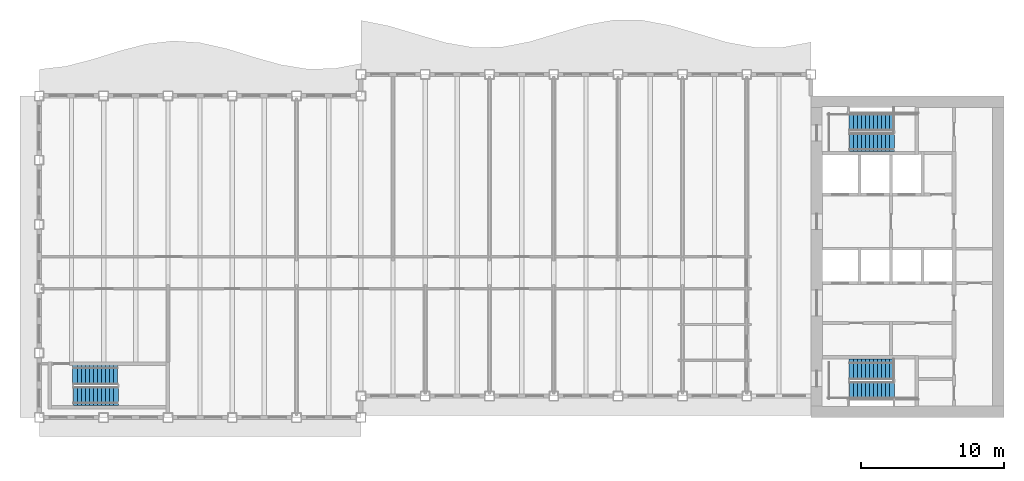
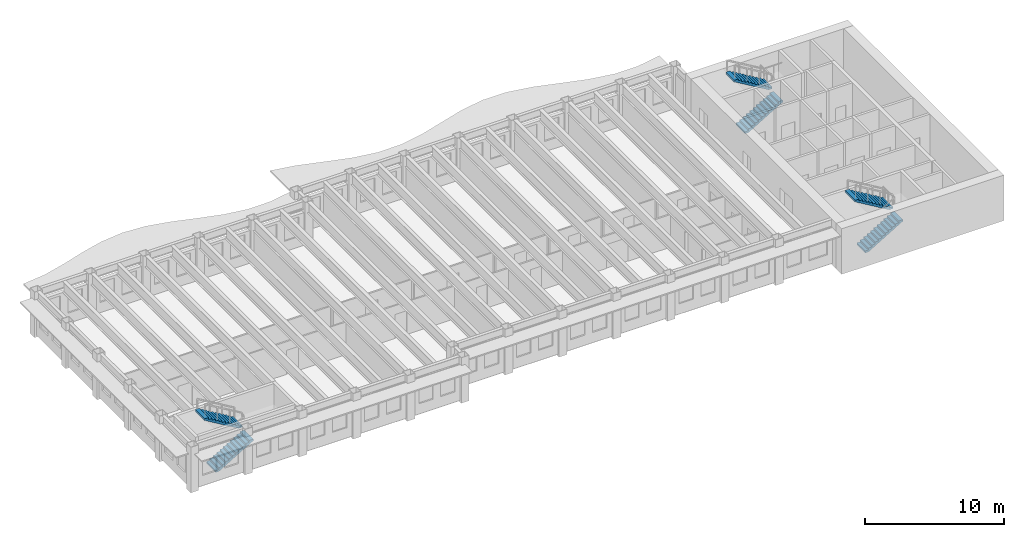
# One storey, part 7 of 12: 6 stair flights, 3 elements without a shape of their own.
"""IFC4 building model written with IfcOpenShell, lengths in metres."""

from ifc_helpers import new_model, si_unit, direction, frame, origin, place, context, subcontext, project, spatial, polyline, outline, extrude, material, type_object, element, aggregate, save


model = new_model("IFC4")

# Units and contexts
model_context = context("Model", 3, precision=1e-05, world=origin(), true_north=direction((0.0, 1.0)))
body_context = subcontext(model_context, "Body", "Model", "MODEL_VIEW")
ifc_project = project(units=[si_unit("LENGTHUNIT", "METRE"), si_unit("AREAUNIT", "SQUARE_METRE"), si_unit("VOLUMEUNIT", "CUBIC_METRE"), si_unit("PLANEANGLEUNIT", "RADIAN"), si_unit("MASSUNIT", "GRAM", prefix="KILO")], contexts=[model_context])

# Site, building, storey
site_placement = place(None, origin())
site = spatial("IfcSite", under=ifc_project, at=site_placement, CompositionType="ELEMENT")
building_placement = place(site_placement, origin())
building = spatial("IfcBuilding", under=site, at=building_placement, Name="Sennacour Bend Tower", CompositionType="ELEMENT")
storey_placement = place(building_placement, frame((0.0, 0.0, 253.0)))
storey = spatial("IfcBuildingStorey", under=building, at=storey_placement, Name="L58", CompositionType="ELEMENT", Elevation=253.0)

# Stair, stair flights
ifc_material = material(Name="Concrete C40/50", Category="concrete")
stair_type = type_object("IfcStairType", Name="ST-DOGLEG", PredefinedType="HALF_TURN_STAIR", material=ifc_material)
stair_1_placement = place(storey_placement, origin())
stair_1 = element("IfcStair", 1, at=stair_1_placement, inside=storey, type_object=stair_type, Name="L58 Exit stair A1", PredefinedType="HALF_TURN_STAIR")
stair_flight_type = type_object("IfcStairFlightType", Name="SFL-RC", PredefinedType="STRAIGHT", material=ifc_material)
stair_flight_1_placement = place(storey_placement, frame((56.699951171875, 1.89990234375, 0.0), z_axis=(0.0, 0.0, 1.0), x_axis=(1.0, 0.0, 0.0)))
stair_flight_1 = element("IfcStairFlight", 2, at=stair_flight_1_placement, type_object=stair_flight_type, Name="SA1 flight 1", NumberOfRisers=12, NumberOfTreads=11, PredefinedType="STRAIGHT", RiserHeight=0.166666667, TreadLength=0.28, context=body_context, shape_type="SweptSolid", body=[
    extrude(outline(polyline([(0.0, 0.0), (0.0, 0.166748046875), (0.280029296875, 0.166748046875), (0.280029296875, 0.333251953125), (0.56005859375, 0.333251953125), (0.56005859375, 0.5), (0.840087890625, 0.5), (0.840087890625, 0.666748046875), (1.1201171875, 0.666748046875), (1.1201171875, 0.833251953125), (1.39990234375, 0.833251953125), (1.39990234375, 1.0), (1.679931640625, 1.0), (1.679931640625, 1.166748046875), (1.9599609375, 1.166748046875), (1.9599609375, 1.333251953125), (2.239990234375, 1.333251953125), (2.239990234375, 1.5), (2.52001953125, 1.5), (2.52001953125, 1.666748046875), (2.800048828125, 1.666748046875), (2.800048828125, 1.833251953125), (3.080078125, 1.833251953125), (3.139892578125, 1.833251953125), (3.139892578125, 1.658935546875), (3.080078125, 1.658935546875), (0.29296875, 0.0), (0.0, 0.0)])), frame((0.0, 0.60009765625, 0.0), z_axis=(0.0, -1.0, 0.0), x_axis=(1.0, 0.0, 0.0)), (0.0, 0.0, 1.0), 1.199951171875),
])
stair_flight_2_placement = place(storey_placement, frame((59.780029296875, 3.37744140625, 2.0), z_axis=(0.0, 0.0, 1.0), x_axis=(-1.0, 0.0, 0.0)))
stair_flight_2 = element("IfcStairFlight", 3, at=stair_flight_2_placement, type_object=stair_flight_type, Name="SA1 flight 2", NumberOfRisers=12, NumberOfTreads=11, PredefinedType="STRAIGHT", RiserHeight=0.166666667, TreadLength=0.28, context=body_context, shape_type="SweptSolid", body=[
    extrude(outline(polyline([(0.0, 0.0), (0.0, 0.166748046875), (0.280029296875, 0.166748046875), (0.280029296875, 0.333251953125), (0.56005859375, 0.333251953125), (0.56005859375, 0.5), (0.840087890625, 0.5), (0.840087890625, 0.666748046875), (1.1201171875, 0.666748046875), (1.1201171875, 0.833251953125), (1.39990234375, 0.833251953125), (1.39990234375, 1.0), (1.679931640625, 1.0), (1.679931640625, 1.166748046875), (1.9599609375, 1.166748046875), (1.9599609375, 1.333251953125), (2.239990234375, 1.333251953125), (2.239990234375, 1.5), (2.52001953125, 1.5), (2.52001953125, 1.666748046875), (2.800048828125, 1.666748046875), (2.800048828125, 1.833251953125), (3.080078125, 1.833251953125), (3.139892578125, 1.833251953125), (3.139892578125, 1.658935546875), (3.080078125, 1.658935546875), (0.29296875, 0.0), (0.0, 0.0)])), frame((0.0, 0.7275390625, 0.0), z_axis=(0.0, -1.0, 0.0), x_axis=(1.0, 0.0, 0.0)), (0.0, 0.0, 1.0), 1.455078125),
])
aggregate(stair_1, [stair_flight_1, stair_flight_2])

stair_2_placement = place(storey_placement, origin())
stair_2 = element("IfcStair", 4, at=stair_2_placement, inside=storey, type_object=stair_type, Name="L58 Exit stair A2", PredefinedType="HALF_TURN_STAIR")
stair_flight_3_placement = place(storey_placement, frame((56.699951171875, 19.24755859375, 0.0), z_axis=(0.0, 0.0, 1.0), x_axis=(1.0, 0.0, 0.0)))
stair_flight_3 = element("IfcStairFlight", 5, at=stair_flight_3_placement, type_object=stair_flight_type, Name="SA2 flight 1", NumberOfRisers=12, NumberOfTreads=11, PredefinedType="STRAIGHT", RiserHeight=0.166666667, TreadLength=0.28, context=body_context, shape_type="SweptSolid", body=[
    extrude(outline(polyline([(0.0, 0.0), (0.0, 0.166748046875), (0.280029296875, 0.166748046875), (0.280029296875, 0.333251953125), (0.56005859375, 0.333251953125), (0.56005859375, 0.5), (0.840087890625, 0.5), (0.840087890625, 0.666748046875), (1.1201171875, 0.666748046875), (1.1201171875, 0.833251953125), (1.39990234375, 0.833251953125), (1.39990234375, 1.0), (1.679931640625, 1.0), (1.679931640625, 1.166748046875), (1.9599609375, 1.166748046875), (1.9599609375, 1.333251953125), (2.239990234375, 1.333251953125), (2.239990234375, 1.5), (2.52001953125, 1.5), (2.52001953125, 1.666748046875), (2.800048828125, 1.666748046875), (2.800048828125, 1.833251953125), (3.080078125, 1.833251953125), (3.139892578125, 1.833251953125), (3.139892578125, 1.658935546875), (3.080078125, 1.658935546875), (0.29296875, 0.0), (0.0, 0.0)])), frame((0.0, 0.65234375, 0.0), z_axis=(0.0, -1.0, 0.0), x_axis=(1.0, 0.0, 0.0)), (0.0, 0.0, 1.0), 1.304931640625),
])
stair_flight_4_placement = place(storey_placement, frame((59.780029296875, 20.64990234375, 2.0), z_axis=(0.0, 0.0, 1.0), x_axis=(-1.0, 0.0, 0.0)))
stair_flight_4 = element("IfcStairFlight", 6, at=stair_flight_4_placement, type_object=stair_flight_type, Name="SA2 flight 2", NumberOfRisers=12, NumberOfTreads=11, PredefinedType="STRAIGHT", RiserHeight=0.166666667, TreadLength=0.28, context=body_context, shape_type="SweptSolid", body=[
    extrude(outline(polyline([(0.0, 0.0), (0.0, 0.166748046875), (0.280029296875, 0.166748046875), (0.280029296875, 0.333251953125), (0.56005859375, 0.333251953125), (0.56005859375, 0.5), (0.840087890625, 0.5), (0.840087890625, 0.666748046875), (1.1201171875, 0.666748046875), (1.1201171875, 0.833251953125), (1.39990234375, 0.833251953125), (1.39990234375, 1.0), (1.679931640625, 1.0), (1.679931640625, 1.166748046875), (1.9599609375, 1.166748046875), (1.9599609375, 1.333251953125), (2.239990234375, 1.333251953125), (2.239990234375, 1.5), (2.52001953125, 1.5), (2.52001953125, 1.666748046875), (2.800048828125, 1.666748046875), (2.800048828125, 1.833251953125), (3.080078125, 1.833251953125), (3.139892578125, 1.833251953125), (3.139892578125, 1.658935546875), (3.080078125, 1.658935546875), (0.29296875, 0.0), (0.0, 0.0)])), frame((0.0, 0.60009765625, 0.0), z_axis=(0.0, -1.0, 0.0), x_axis=(1.0, 0.0, 0.0)), (0.0, 0.0, 1.0), 1.199951171875),
])
aggregate(stair_2, [stair_flight_3, stair_flight_4])

stair_3_placement = place(storey_placement, origin())
stair_3 = element("IfcStair", 7, at=stair_3_placement, inside=storey, type_object=stair_type, Name="L58 Exit stair K1", PredefinedType="HALF_TURN_STAIR")
stair_flight_5_placement = place(storey_placement, frame((2.39990234375, 1.485107421875, 0.0), z_axis=(0.0, 0.0, 1.0), x_axis=(1.0, 0.0, 0.0)))
stair_flight_5 = element("IfcStairFlight", 8, at=stair_flight_5_placement, type_object=stair_flight_type, Name="SK1 flight 1", NumberOfRisers=12, NumberOfTreads=11, PredefinedType="STRAIGHT", RiserHeight=0.166666667, TreadLength=0.28, context=body_context, shape_type="SweptSolid", body=[
    extrude(outline(polyline([(0.0, 0.0), (0.0, 0.166748046875), (0.280029296875, 0.166748046875), (0.280029296875, 0.333251953125), (0.56005859375, 0.333251953125), (0.56005859375, 0.5), (0.840087890625, 0.5), (0.840087890625, 0.666748046875), (1.1201171875, 0.666748046875), (1.1201171875, 0.833251953125), (1.39990234375, 0.833251953125), (1.39990234375, 1.0), (1.679931640625, 1.0), (1.679931640625, 1.166748046875), (1.9599609375, 1.166748046875), (1.9599609375, 1.333251953125), (2.239990234375, 1.333251953125), (2.239990234375, 1.5), (2.52001953125, 1.5), (2.52001953125, 1.666748046875), (2.800048828125, 1.666748046875), (2.800048828125, 1.833251953125), (3.080078125, 1.833251953125), (3.139892578125, 1.833251953125), (3.139892578125, 1.658935546875), (3.080078125, 1.658935546875), (0.29296875, 0.0), (0.0, 0.0)])), frame((0.0, 0.6650390625, 0.0), z_axis=(0.0, -1.0, 0.0), x_axis=(1.0, 0.0, 0.0)), (0.0, 0.0, 1.0), 1.330078125),
])
stair_flight_6_placement = place(storey_placement, frame((5.47998046875, 2.9775390625, 2.0), z_axis=(0.0, 0.0, 1.0), x_axis=(-1.0, 0.0, 0.0)))
stair_flight_6 = element("IfcStairFlight", 9, at=stair_flight_6_placement, type_object=stair_flight_type, Name="SK1 flight 2", NumberOfRisers=12, NumberOfTreads=11, PredefinedType="STRAIGHT", RiserHeight=0.166666667, TreadLength=0.28, context=body_context, shape_type="SweptSolid", body=[
    extrude(outline(polyline([(0.0, 0.0), (0.0, 0.166748046875), (0.280029296875, 0.166748046875), (0.280029296875, 0.333251953125), (0.56005859375, 0.333251953125), (0.56005859375, 0.5), (0.840087890625, 0.5), (0.840087890625, 0.666748046875), (1.1201171875, 0.666748046875), (1.1201171875, 0.833251953125), (1.39990234375, 0.833251953125), (1.39990234375, 1.0), (1.679931640625, 1.0), (1.679931640625, 1.166748046875), (1.9599609375, 1.166748046875), (1.9599609375, 1.333251953125), (2.239990234375, 1.333251953125), (2.239990234375, 1.5), (2.52001953125, 1.5), (2.52001953125, 1.666748046875), (2.800048828125, 1.666748046875), (2.800048828125, 1.833251953125), (3.080078125, 1.833251953125), (3.139892578125, 1.833251953125), (3.139892578125, 1.658935546875), (3.080078125, 1.658935546875), (0.29296875, 0.0), (0.0, 0.0)])), frame((0.0, 0.677490234375, 0.0), z_axis=(0.0, -1.0, 0.0), x_axis=(1.0, 0.0, 0.0)), (0.0, 0.0, 1.0), 1.35498046875),
])
aggregate(stair_3, [stair_flight_5, stair_flight_6])

save(model, "model.ifc")
